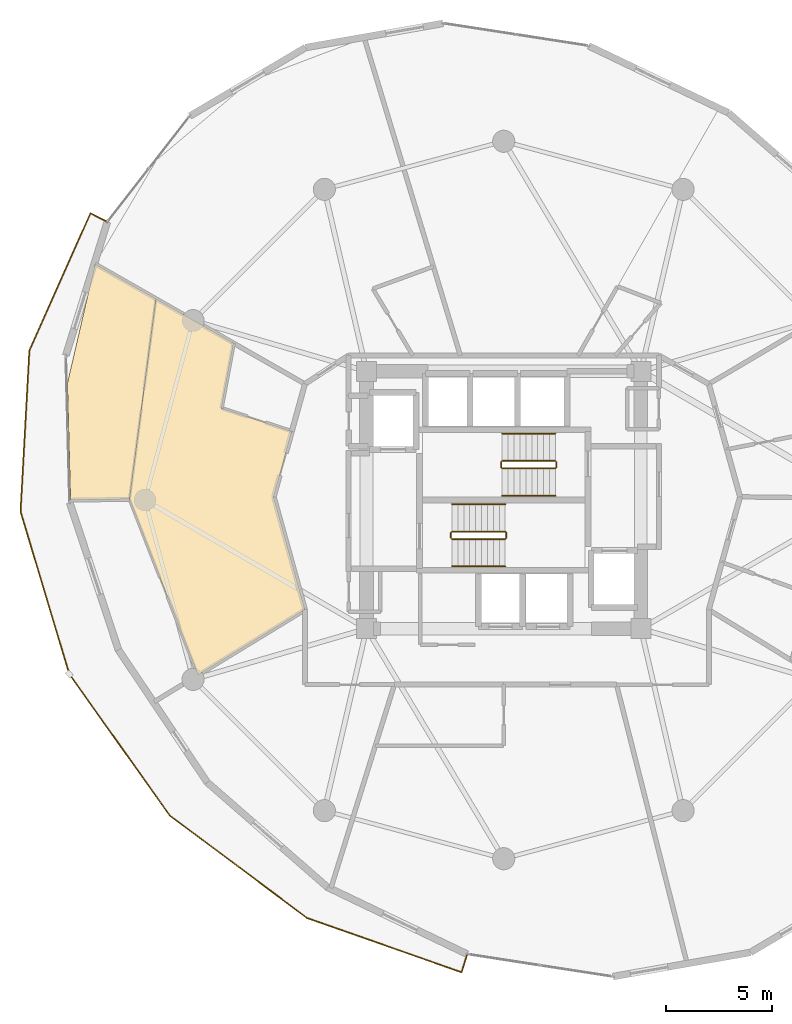
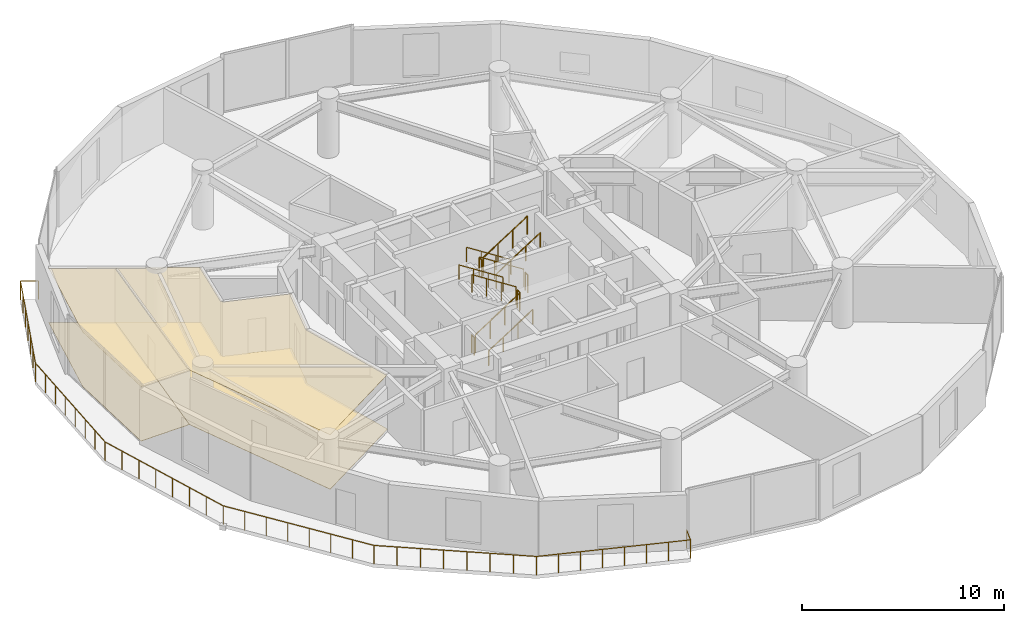
# One storey, part 19 of 20: 13 railings, 4 coverings.
"""IFC4 building model written with IfcOpenShell, lengths in metres."""

from ifc_helpers import new_model, si_unit, direction, frame, origin, origin_2d, place, context, subcontext, project, spatial, polyline, circle, outline, extrude, material, layer, layer_set, type_object, element, save


model = new_model("IFC4")

# Units and contexts
model_context = context("Model", 3, precision=1e-05, world=origin(), true_north=direction((0.0, 1.0)))
body_context = subcontext(model_context, "Body", "Model", "MODEL_VIEW")
ifc_project = project(units=[si_unit("LENGTHUNIT", "METRE"), si_unit("AREAUNIT", "SQUARE_METRE"), si_unit("VOLUMEUNIT", "CUBIC_METRE"), si_unit("PLANEANGLEUNIT", "RADIAN"), si_unit("MASSUNIT", "GRAM", prefix="KILO")], contexts=[model_context])

# Site, building, storey
site_placement = place(None, origin())
site = spatial("IfcSite", under=ifc_project, at=site_placement, CompositionType="ELEMENT")
building_placement = place(site_placement, origin())
building = spatial("IfcBuilding", under=site, at=building_placement, Name="Solvirekh Grand Hotel", CompositionType="ELEMENT")
storey_placement = place(building_placement, frame((0.0, 0.0, 156.60009765625)))
storey = spatial("IfcBuildingStorey", under=building, at=storey_placement, Name="L40", CompositionType="ELEMENT", Elevation=156.60009765625)

# Coverings
ifc_material_1 = material(Name="Acoustic Mineral Ceiling Tile")
ifc_layer_1 = layer(ifc_material_1, 0.02490234375)
ifc_layer_set_1 = layer_set([ifc_layer_1], Name="Acoustic Mineral Ceiling Tile")
covering_type_1 = type_object("IfcCoveringType", Name="Cov_Ceiling_Acoustic", PredefinedType="CEILING", material=ifc_layer_set_1)
covering_1_placement = place(storey_placement, frame((0.0, 0.0, 3.2998046875)))
element("IfcCovering", 1, at=covering_1_placement, inside=storey, type_object=covering_type_1, Name="L40 Executive Suite 4203 Living Room acoustic ceiling", PredefinedType="CEILING", context=body_context, shape_type="SweptSolid", body=[
    extrude(outline(polyline([(-13.3779296875, 4.35205078125), (-12.802001953125, 7.431884765625), (-16.48193359375, 9.533935546875), (-17.736083984375, 0.04296875), (-14.489990234375, -8.2958984375), (-9.419921875, -5.199951171875), (-10.89990234375, 0.14990234375), (-10.0419921875, 3.2529296875), (-13.3779296875, 4.35205078125)])), origin(), (0.0, 0.0, 1.0), 0.01806640625),
])
covering_2_placement = place(storey_placement, frame((0.0, 0.0, 3.2998046875)))
element("IfcCovering", 2, at=covering_2_placement, inside=storey, type_object=covering_type_1, Name="L40 Executive Suite 4203 Master Bedroom acoustic ceiling", PredefinedType="CEILING", context=body_context, shape_type="SweptSolid", body=[
    extrude(outline(polyline([(-19.365966796875, 11.180908203125), (-20.675048828125, 5.5400390625), (-20.528076171875, 0.0), (-17.736083984375, 0.04296875), (-16.48193359375, 9.533935546875), (-19.365966796875, 11.180908203125)])), origin(), (0.0, 0.0, 1.0), 0.01806640625),
])
ifc_material_2 = material(Name="Porcelain Stoneware Flooring", Category="masonry")
ifc_layer_2 = layer(ifc_material_2, 0.030029296875)
ifc_layer_set_2 = layer_set([ifc_layer_2], Name="Porcelain Stoneware Flooring")
covering_type_2 = type_object("IfcCoveringType", Name="Cov_Floor_Stone", PredefinedType="FLOORING", material=ifc_layer_set_2)
covering_3_placement = place(storey_placement, origin())
element("IfcCovering", 3, at=covering_3_placement, inside=storey, type_object=covering_type_2, Name="L40 Executive Suite 4203 Living Room polished granite flooring", PredefinedType="FLOORING", context=body_context, shape_type="SweptSolid", body=[
    extrude(outline(polyline([(-13.3779296875, 4.35205078125), (-12.802001953125, 7.431884765625), (-16.48193359375, 9.533935546875), (-17.736083984375, 0.04296875), (-14.489990234375, -8.2958984375), (-9.419921875, -5.199951171875), (-10.89990234375, 0.14990234375), (-10.0419921875, 3.2529296875), (-13.3779296875, 4.35205078125)])), origin(), (0.0, 0.0, 1.0), 0.02001953125),
])
covering_4_placement = place(storey_placement, origin())
element("IfcCovering", 4, at=covering_4_placement, inside=storey, type_object=covering_type_2, Name="L40 Executive Suite 4203 Master Bedroom polished granite flooring", PredefinedType="FLOORING", context=body_context, shape_type="SweptSolid", body=[
    extrude(outline(polyline([(-19.365966796875, 11.180908203125), (-20.675048828125, 5.5400390625), (-20.528076171875, 0.0), (-17.736083984375, 0.04296875), (-16.48193359375, 9.533935546875), (-19.365966796875, 11.180908203125)])), origin(), (0.0, 0.0, 1.0), 0.02001953125),
])

# Railings
ifc_material_3 = material(Name="Anodized Bronze Aluminium 6063-T6", Category="aluminium")
railing_type_1 = type_object("IfcRailingType", Name="Guard_ExtGlass_1150", PredefinedType="BALUSTRADE", material=ifc_material_3)
railing_1_placement = place(storey_placement, frame((-18.787109375, 13.176025390625, 0.0)))
element("IfcRailing", 5, at=railing_1_placement, inside=storey, type_object=railing_type_1, Name="L40 balc perimeter glass balustrade", PredefinedType="BALUSTRADE", context=body_context, shape_type="SweptSolid", body=[
    extrude(circle(Radius=0.02392578125, at=origin_2d()), frame((0.0, 0.0, 1.1259765625), z_axis=(-0.88826347865, 0.45933429275, 0.0), x_axis=(-0.45933429275, -0.88826347865, 0.0)), (0.0, 0.0, 1.0), 0.8994140625),
    extrude(circle(Radius=0.02392578125, at=origin_2d()), frame((-0.798828125, 0.4130859375, 1.1259765625), z_axis=(-0.407125423664, -0.913372262227, 0.0), x_axis=(0.913372262227, -0.407125423664, 0.0)), (0.0, 0.0, 1.0), 7.11328125),
    extrude(circle(Radius=0.02392578125, at=origin_2d()), frame((-3.69482421875, -6.083984375, 1.1259765625), z_axis=(-0.054654892763, -0.998505304291, 0.0), x_axis=(0.998505304291, -0.054654892763, 0.0)), (0.0, 0.0, 1.0), 7.6474609375),
    extrude(circle(Radius=0.02392578125, at=origin_2d()), frame((-4.11279296875, -13.719970703125, 1.1259765625), z_axis=(0.287152963477, -0.957884740231, 0.0), x_axis=(0.957884740231, 0.287152963477, 0.0)), (0.0, 0.0, 1.0), 8.0439453125),
    extrude(circle(Radius=0.02392578125, at=origin_2d()), frame((-1.802978515625, -21.425048828125, 1.1259765625), z_axis=(0.579168171251, -0.815208089637, 0.0), x_axis=(0.815208089637, 0.579168171251, 0.0)), (0.0, 0.0, 1.0), 8.21875),
    extrude(circle(Radius=0.02392578125, at=origin_2d()), frame((2.95703125, -28.125, 1.1259765625), z_axis=(0.801292319369, -0.598273030414, 0.0), x_axis=(0.598273030414, 0.801292319369, 0.0)), (0.0, 0.0, 1.0), 8.126708984375),
    extrude(circle(Radius=0.02392578125, at=origin_2d()), frame((9.468994140625, -32.987060546875, 1.1259765625), z_axis=(0.94346971306, -0.33145874636, 0.0), x_axis=(0.33145874636, 0.94346971306, 0.0)), (0.0, 0.0, 1.0), 7.759765625),
    extrude(circle(Radius=0.02392578125, at=origin_2d()), frame((16.7900390625, -35.55908203125, 1.1259765625), z_axis=(0.298846262588, 0.954301268645, 0.0), x_axis=(-0.954301268645, 0.298846262588, 0.0)), (0.0, 0.0, 1.0), 0.900390625),
    extrude(circle(Radius=0.02099609375, at=origin_2d()), origin(), (0.0, 0.0, 1.0), 1.101806640625),
    extrude(circle(Radius=0.02099609375, at=origin_2d()), frame((-0.798828125, 0.4130859375, 0.0)), (0.0, 0.0, 1.0), 1.101806640625),
    extrude(circle(Radius=0.02099609375, at=origin_2d()), frame((-1.281494140625, -0.669677734375, 0.0)), (0.0, 0.0, 1.0), 1.101806640625),
    extrude(circle(Radius=0.02099609375, at=origin_2d()), frame((-1.76416015625, -1.752685546875, 0.0)), (0.0, 0.0, 1.0), 1.101806640625),
    extrude(circle(Radius=0.02099609375, at=origin_2d()), frame((-2.246826171875, -2.83544921875, 0.0)), (0.0, 0.0, 1.0), 1.101806640625),
    extrude(circle(Radius=0.02099609375, at=origin_2d()), frame((-2.7294921875, -3.918212890625, 0.0)), (0.0, 0.0, 1.0), 1.101806640625),
    extrude(circle(Radius=0.02099609375, at=origin_2d()), frame((-3.212158203125, -5.001220703125, 0.0)), (0.0, 0.0, 1.0), 1.101806640625),
    extrude(circle(Radius=0.02099609375, at=origin_2d()), frame((-3.69482421875, -6.083984375, 0.0)), (0.0, 0.0, 1.0), 1.101806640625),
    extrude(circle(Radius=0.02099609375, at=origin_2d()), frame((-3.754638671875, -7.1748046875, 0.0)), (0.0, 0.0, 1.0), 1.101806640625),
    extrude(circle(Radius=0.02099609375, at=origin_2d()), frame((-3.814208984375, -8.265625, 0.0)), (0.0, 0.0, 1.0), 1.101806640625),
    extrude(circle(Radius=0.02099609375, at=origin_2d()), frame((-3.8740234375, -9.3564453125, 0.0)), (0.0, 0.0, 1.0), 1.101806640625),
    extrude(circle(Radius=0.02099609375, at=origin_2d()), frame((-3.93359375, -10.447509765625, 0.0)), (0.0, 0.0, 1.0), 1.101806640625),
    extrude(circle(Radius=0.02099609375, at=origin_2d()), frame((-3.993408203125, -11.538330078125, 0.0)), (0.0, 0.0, 1.0), 1.101806640625),
    extrude(circle(Radius=0.02099609375, at=origin_2d()), frame((-4.052978515625, -12.629150390625, 0.0)), (0.0, 0.0, 1.0), 1.101806640625),
    extrude(circle(Radius=0.02099609375, at=origin_2d()), frame((-4.11279296875, -13.719970703125, 0.0)), (0.0, 0.0, 1.0), 1.101806640625),
    extrude(circle(Radius=0.02099609375, at=origin_2d()), frame((-3.78271484375, -14.82080078125, 0.0)), (0.0, 0.0, 1.0), 1.101806640625),
    extrude(circle(Radius=0.02099609375, at=origin_2d()), frame((-3.452880859375, -15.92138671875, 0.0)), (0.0, 0.0, 1.0), 1.101806640625),
    extrude(circle(Radius=0.02099609375, at=origin_2d()), frame((-3.122802734375, -17.022216796875, 0.0)), (0.0, 0.0, 1.0), 1.101806640625),
    extrude(circle(Radius=0.02099609375, at=origin_2d()), frame((-2.79296875, -18.122802734375, 0.0)), (0.0, 0.0, 1.0), 1.101806640625),
    extrude(circle(Radius=0.02099609375, at=origin_2d()), frame((-2.462890625, -19.2236328125, 0.0)), (0.0, 0.0, 1.0), 1.101806640625),
    extrude(circle(Radius=0.02099609375, at=origin_2d()), frame((-2.133056640625, -20.32421875, 0.0)), (0.0, 0.0, 1.0), 1.101806640625),
    extrude(circle(Radius=0.02099609375, at=origin_2d()), frame((-1.802978515625, -21.425048828125, 0.0)), (0.0, 0.0, 1.0), 1.101806640625),
    extrude(circle(Radius=0.02099609375, at=origin_2d()), frame((-1.123046875, -22.382080078125, 0.0)), (0.0, 0.0, 1.0), 1.101806640625),
    extrude(circle(Radius=0.02099609375, at=origin_2d()), frame((-0.44287109375, -23.33935546875, 0.0)), (0.0, 0.0, 1.0), 1.101806640625),
    extrude(circle(Radius=0.02099609375, at=origin_2d()), frame((0.237060546875, -24.29638671875, 0.0)), (0.0, 0.0, 1.0), 1.101806640625),
    extrude(circle(Radius=0.02099609375, at=origin_2d()), frame((0.9169921875, -25.253662109375, 0.0)), (0.0, 0.0, 1.0), 1.101806640625),
    extrude(circle(Radius=0.02099609375, at=origin_2d()), frame((1.596923828125, -26.210693359375, 0.0)), (0.0, 0.0, 1.0), 1.101806640625),
    extrude(circle(Radius=0.02099609375, at=origin_2d()), frame((2.277099609375, -27.16796875, 0.0)), (0.0, 0.0, 1.0), 1.101806640625),
    extrude(circle(Radius=0.02099609375, at=origin_2d()), frame((2.95703125, -28.125, 0.0)), (0.0, 0.0, 1.0), 1.101806640625),
    extrude(circle(Radius=0.02099609375, at=origin_2d()), frame((3.88720703125, -28.819580078125, 0.0)), (0.0, 0.0, 1.0), 1.101806640625),
    extrude(circle(Radius=0.02099609375, at=origin_2d()), frame((4.817626953125, -29.51416015625, 0.0)), (0.0, 0.0, 1.0), 1.101806640625),
    extrude(circle(Radius=0.02099609375, at=origin_2d()), frame((5.747802734375, -30.208740234375, 0.0)), (0.0, 0.0, 1.0), 1.101806640625),
    extrude(circle(Radius=0.02099609375, at=origin_2d()), frame((6.67822265625, -30.9033203125, 0.0)), (0.0, 0.0, 1.0), 1.101806640625),
    extrude(circle(Radius=0.02099609375, at=origin_2d()), frame((7.6083984375, -31.597900390625, 0.0)), (0.0, 0.0, 1.0), 1.101806640625),
    extrude(circle(Radius=0.02099609375, at=origin_2d()), frame((8.538818359375, -32.29248046875, 0.0)), (0.0, 0.0, 1.0), 1.101806640625),
    extrude(circle(Radius=0.02099609375, at=origin_2d()), frame((9.468994140625, -32.987060546875, 0.0)), (0.0, 0.0, 1.0), 1.101806640625),
    extrude(circle(Radius=0.02099609375, at=origin_2d()), frame((10.514892578125, -33.3544921875, 0.0)), (0.0, 0.0, 1.0), 1.101806640625),
    extrude(circle(Radius=0.02099609375, at=origin_2d()), frame((11.560791015625, -33.721923828125, 0.0)), (0.0, 0.0, 1.0), 1.101806640625),
    extrude(circle(Radius=0.02099609375, at=origin_2d()), frame((12.606689453125, -34.08935546875, 0.0)), (0.0, 0.0, 1.0), 1.101806640625),
    extrude(circle(Radius=0.02099609375, at=origin_2d()), frame((13.65234375, -34.456787109375, 0.0)), (0.0, 0.0, 1.0), 1.101806640625),
    extrude(circle(Radius=0.02099609375, at=origin_2d()), frame((14.6982421875, -34.82421875, 0.0)), (0.0, 0.0, 1.0), 1.101806640625),
    extrude(circle(Radius=0.02099609375, at=origin_2d()), frame((15.744140625, -35.191650390625, 0.0)), (0.0, 0.0, 1.0), 1.101806640625),
    extrude(circle(Radius=0.02099609375, at=origin_2d()), frame((16.7900390625, -35.55908203125, 0.0)), (0.0, 0.0, 1.0), 1.101806640625),
    extrude(circle(Radius=0.02099609375, at=origin_2d()), frame((17.05908203125, -34.699951171875, 0.0)), (0.0, 0.0, 1.0), 1.101806640625),
])
ifc_material_4 = material(Name="Steel S355", Category="steel")
railing_type_2 = type_object("IfcRailingType", Name="Guard_Stair_1100", PredefinedType="GUARDRAIL", material=ifc_material_4)
railing_2_placement = place(storey_placement, frame((-2.449951171875, -1.85009765625, 0.179931640625)))
element("IfcRailing", 6, at=railing_2_placement, inside=storey, type_object=railing_type_2, Name="L40 ST-1 stair guard 1", PredefinedType="GUARDRAIL", context=body_context, shape_type="SweptSolid", body=[
    extrude(circle(Radius=0.02392578125, at=origin_2d()), frame((0.0, 0.0, 1.076171875), z_axis=(0.841199657755, 0.0, 0.540724639528), x_axis=(0.0, 1.0, 0.0)), (0.0, 0.0, 1.0), 2.995849609375),
    extrude(circle(Radius=0.02099609375, at=origin_2d()), origin(), (0.0, 0.0, 1.0), 1.052001953125),
    extrude(circle(Radius=0.02099609375, at=origin_2d()), frame((0.840087890625, 0.0, 0.5400390625)), (0.0, 0.0, 1.0), 1.052001953125),
    extrude(circle(Radius=0.02099609375, at=origin_2d()), frame((1.679931640625, 0.0, 1.079833984375)), (0.0, 0.0, 1.0), 1.052001953125),
    extrude(circle(Radius=0.02099609375, at=origin_2d()), frame((2.52001953125, 0.0, 1.619873046875)), (0.0, 0.0, 1.0), 1.052001953125),
])
railing_3_placement = place(storey_placement, frame((0.1201171875, -1.800048828125, 1.7998046875)))
element("IfcRailing", 7, at=railing_3_placement, inside=storey, type_object=railing_type_2, Name="L40 ST-1 stair guard 2", PredefinedType="GUARDRAIL", context=body_context, shape_type="SweptSolid", body=[
    extrude(circle(Radius=0.02392578125, at=origin_2d()), frame((0.0, 0.0, 1.076171875), z_axis=(0.0, 1.0, 0.0), x_axis=(-1.0, 0.0, 0.0)), (0.0, 0.0, 1.0), 0.25),
    extrude(circle(Radius=0.02099609375, at=origin_2d()), origin(), (0.0, 0.0, 1.0), 1.052001953125),
    extrude(circle(Radius=0.02099609375, at=origin_2d()), frame((0.0, 0.25, 0.0)), (0.0, 0.0, 1.0), 1.052001953125),
])
railing_4_placement = place(storey_placement, frame((0.070068359375, -1.5, 1.97998046875)))
element("IfcRailing", 8, at=railing_4_placement, inside=storey, type_object=railing_type_2, Name="L40 ST-1 stair guard 3", PredefinedType="GUARDRAIL", context=body_context, shape_type="SweptSolid", body=[
    extrude(circle(Radius=0.02392578125, at=origin_2d()), frame((0.0, 0.0, 1.076171875), z_axis=(-0.841199657755, 0.0, 0.540724639528), x_axis=(0.0, -1.0, 0.0)), (0.0, 0.0, 1.0), 2.995849609375),
    extrude(circle(Radius=0.02099609375, at=origin_2d()), origin(), (0.0, 0.0, 1.0), 1.052001953125),
    extrude(circle(Radius=0.02099609375, at=origin_2d()), frame((-0.840087890625, 0.0, 0.5400390625)), (0.0, 0.0, 1.0), 1.052001953125),
    extrude(circle(Radius=0.02099609375, at=origin_2d()), frame((-1.679931640625, 0.0, 1.079833984375)), (0.0, 0.0, 1.0), 1.052001953125),
    extrude(circle(Radius=0.02099609375, at=origin_2d()), frame((-2.52001953125, 0.0, 1.619873046875)), (0.0, 0.0, 1.0), 1.052001953125),
])
railing_5_placement = place(storey_placement, frame((-2.5, -1.800048828125, 0.0)))
element("IfcRailing", 9, at=railing_5_placement, inside=storey, type_object=railing_type_2, Name="L40 ST-1 stair guard 4", PredefinedType="GUARDRAIL", context=body_context, shape_type="SweptSolid", body=[
    extrude(circle(Radius=0.02392578125, at=origin_2d()), frame((0.0, 0.0, 1.076171875), z_axis=(0.0, 1.0, 0.0), x_axis=(-1.0, 0.0, 0.0)), (0.0, 0.0, 1.0), 0.25),
    extrude(circle(Radius=0.02099609375, at=origin_2d()), origin(), (0.0, 0.0, 1.0), 1.052001953125),
    extrude(circle(Radius=0.02099609375, at=origin_2d()), frame((0.0, 0.25, 0.0)), (0.0, 0.0, 1.0), 1.052001953125),
])
railing_6_placement = place(storey_placement, frame((2.449951171875, 1.85009765625, 0.179931640625)))
element("IfcRailing", 10, at=railing_6_placement, inside=storey, type_object=railing_type_2, Name="L40 ST-2 stair guard 1", PredefinedType="GUARDRAIL", context=body_context, shape_type="SweptSolid", body=[
    extrude(circle(Radius=0.02392578125, at=origin_2d()), frame((0.0, 0.0, 1.076171875), z_axis=(-0.841199657755, 0.0, 0.540724639528), x_axis=(0.0, -1.0, 0.0)), (0.0, 0.0, 1.0), 2.995849609375),
    extrude(circle(Radius=0.02099609375, at=origin_2d()), origin(), (0.0, 0.0, 1.0), 1.052001953125),
    extrude(circle(Radius=0.02099609375, at=origin_2d()), frame((-0.840087890625, 0.0, 0.5400390625)), (0.0, 0.0, 1.0), 1.052001953125),
    extrude(circle(Radius=0.02099609375, at=origin_2d()), frame((-1.679931640625, 0.0, 1.079833984375)), (0.0, 0.0, 1.0), 1.052001953125),
    extrude(circle(Radius=0.02099609375, at=origin_2d()), frame((-2.52001953125, 0.0, 1.619873046875)), (0.0, 0.0, 1.0), 1.052001953125),
])
railing_7_placement = place(storey_placement, frame((-0.1201171875, 1.800048828125, 1.7998046875)))
element("IfcRailing", 11, at=railing_7_placement, inside=storey, type_object=railing_type_2, Name="L40 ST-2 stair guard 2", PredefinedType="GUARDRAIL", context=body_context, shape_type="SweptSolid", body=[
    extrude(circle(Radius=0.02392578125, at=origin_2d()), frame((0.0, 0.0, 1.076171875), z_axis=(0.0, -1.0, 0.0), x_axis=(1.0, 0.0, 0.0)), (0.0, 0.0, 1.0), 0.25),
    extrude(circle(Radius=0.02099609375, at=origin_2d()), origin(), (0.0, 0.0, 1.0), 1.052001953125),
    extrude(circle(Radius=0.02099609375, at=origin_2d()), frame((0.0, -0.25, 0.0)), (0.0, 0.0, 1.0), 1.052001953125),
])
railing_8_placement = place(storey_placement, frame((-0.070068359375, 1.5, 1.97998046875)))
element("IfcRailing", 12, at=railing_8_placement, inside=storey, type_object=railing_type_2, Name="L40 ST-2 stair guard 3", PredefinedType="GUARDRAIL", context=body_context, shape_type="SweptSolid", body=[
    extrude(circle(Radius=0.02392578125, at=origin_2d()), frame((0.0, 0.0, 1.076171875), z_axis=(0.841199657755, 0.0, 0.540724639528), x_axis=(0.0, 1.0, 0.0)), (0.0, 0.0, 1.0), 2.995849609375),
    extrude(circle(Radius=0.02099609375, at=origin_2d()), origin(), (0.0, 0.0, 1.0), 1.052001953125),
    extrude(circle(Radius=0.02099609375, at=origin_2d()), frame((0.840087890625, 0.0, 0.5400390625)), (0.0, 0.0, 1.0), 1.052001953125),
    extrude(circle(Radius=0.02099609375, at=origin_2d()), frame((1.679931640625, 0.0, 1.079833984375)), (0.0, 0.0, 1.0), 1.052001953125),
    extrude(circle(Radius=0.02099609375, at=origin_2d()), frame((2.52001953125, 0.0, 1.619873046875)), (0.0, 0.0, 1.0), 1.052001953125),
])
railing_9_placement = place(storey_placement, frame((2.5, 1.800048828125, 0.0)))
element("IfcRailing", 13, at=railing_9_placement, inside=storey, type_object=railing_type_2, Name="L40 ST-2 stair guard 4", PredefinedType="GUARDRAIL", context=body_context, shape_type="SweptSolid", body=[
    extrude(circle(Radius=0.02392578125, at=origin_2d()), frame((0.0, 0.0, 1.076171875), z_axis=(0.0, -1.0, 0.0), x_axis=(1.0, 0.0, 0.0)), (0.0, 0.0, 1.0), 0.25),
    extrude(circle(Radius=0.02099609375, at=origin_2d()), origin(), (0.0, 0.0, 1.0), 1.052001953125),
    extrude(circle(Radius=0.02099609375, at=origin_2d()), frame((0.0, -0.25, 0.0)), (0.0, 0.0, 1.0), 1.052001953125),
])
railing_type_3 = type_object("IfcRailingType", Name="Handrail_Wall_900", PredefinedType="HANDRAIL", material=ifc_material_3)
railing_10_placement = place(storey_placement, frame((-2.449951171875, -3.14990234375, 0.179931640625)))
element("IfcRailing", 14, at=railing_10_placement, inside=storey, type_object=railing_type_3, Name="L40 ST-1 stair handrail 1", PredefinedType="HANDRAIL", context=body_context, shape_type="SweptSolid", body=[
    extrude(circle(Radius=0.02392578125, at=origin_2d()), frame((0.0, 0.0, 0.8759765625), z_axis=(0.841199657755, 0.0, 0.540724639528), x_axis=(0.0, 1.0, 0.0)), (0.0, 0.0, 1.0), 2.995849609375),
    extrude(circle(Radius=0.02099609375, at=origin_2d()), origin(), (0.0, 0.0, 1.0), 0.851806640625),
    extrude(circle(Radius=0.02099609375, at=origin_2d()), frame((0.840087890625, 0.0, 0.5400390625)), (0.0, 0.0, 1.0), 0.851806640625),
    extrude(circle(Radius=0.02099609375, at=origin_2d()), frame((1.679931640625, 0.0, 1.079833984375)), (0.0, 0.0, 1.0), 0.851806640625),
    extrude(circle(Radius=0.02099609375, at=origin_2d()), frame((2.52001953125, 0.0, 1.619873046875)), (0.0, 0.0, 1.0), 0.851806640625),
])
for number, where, name in (
    (15, (0.070068359375, -0.199951171875, 1.97998046875), "L40 ST-1 stair handrail 2"),
    (16, (2.449951171875, 3.14990234375, 0.179931640625), "L40 ST-2 stair handrail 1"),
):
    element("IfcRailing", number, at=place(storey_placement, frame(where)), inside=storey, type_object=railing_type_3, Name=name, PredefinedType="HANDRAIL", context=body_context, shape_type="SweptSolid", body=[
        extrude(circle(Radius=0.02392578125, at=origin_2d()), frame((0.0, 0.0, 0.8759765625), z_axis=(-0.841199657755, 0.0, 0.540724639528), x_axis=(0.0, -1.0, 0.0)), (0.0, 0.0, 1.0), 2.995849609375),
        extrude(circle(Radius=0.02099609375, at=origin_2d()), origin(), (0.0, 0.0, 1.0), 0.851806640625),
        extrude(circle(Radius=0.02099609375, at=origin_2d()), frame((-0.840087890625, 0.0, 0.5400390625)), (0.0, 0.0, 1.0), 0.851806640625),
        extrude(circle(Radius=0.02099609375, at=origin_2d()), frame((-1.679931640625, 0.0, 1.079833984375)), (0.0, 0.0, 1.0), 0.851806640625),
        extrude(circle(Radius=0.02099609375, at=origin_2d()), frame((-2.52001953125, 0.0, 1.619873046875)), (0.0, 0.0, 1.0), 0.851806640625),
    ])
railing_11_placement = place(storey_placement, frame((-0.070068359375, 0.199951171875, 1.97998046875)))
element("IfcRailing", 17, at=railing_11_placement, inside=storey, type_object=railing_type_3, Name="L40 ST-2 stair handrail 2", PredefinedType="HANDRAIL", context=body_context, shape_type="SweptSolid", body=[
    extrude(circle(Radius=0.02392578125, at=origin_2d()), frame((0.0, 0.0, 0.8759765625), z_axis=(0.841199657755, 0.0, 0.540724639528), x_axis=(0.0, 1.0, 0.0)), (0.0, 0.0, 1.0), 2.995849609375),
    extrude(circle(Radius=0.02099609375, at=origin_2d()), origin(), (0.0, 0.0, 1.0), 0.851806640625),
    extrude(circle(Radius=0.02099609375, at=origin_2d()), frame((0.840087890625, 0.0, 0.5400390625)), (0.0, 0.0, 1.0), 0.851806640625),
    extrude(circle(Radius=0.02099609375, at=origin_2d()), frame((1.679931640625, 0.0, 1.079833984375)), (0.0, 0.0, 1.0), 0.851806640625),
    extrude(circle(Radius=0.02099609375, at=origin_2d()), frame((2.52001953125, 0.0, 1.619873046875)), (0.0, 0.0, 1.0), 0.851806640625),
])

save(model, "model.ifc")
